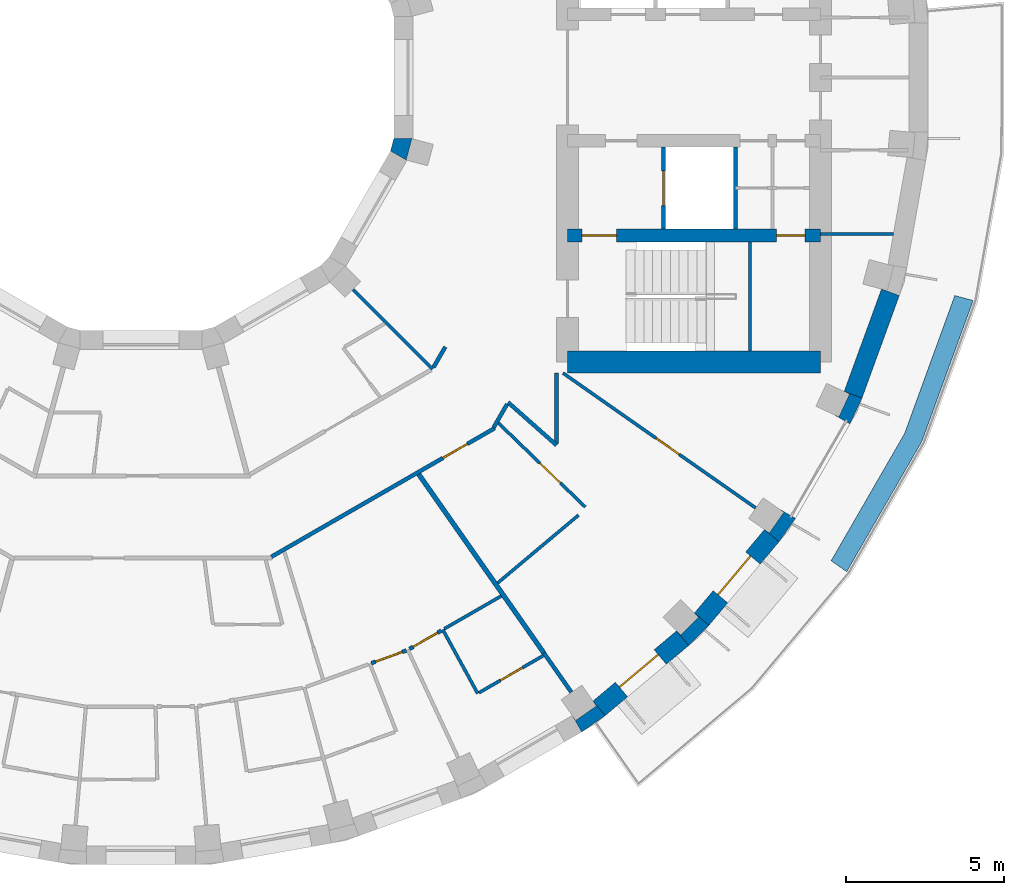
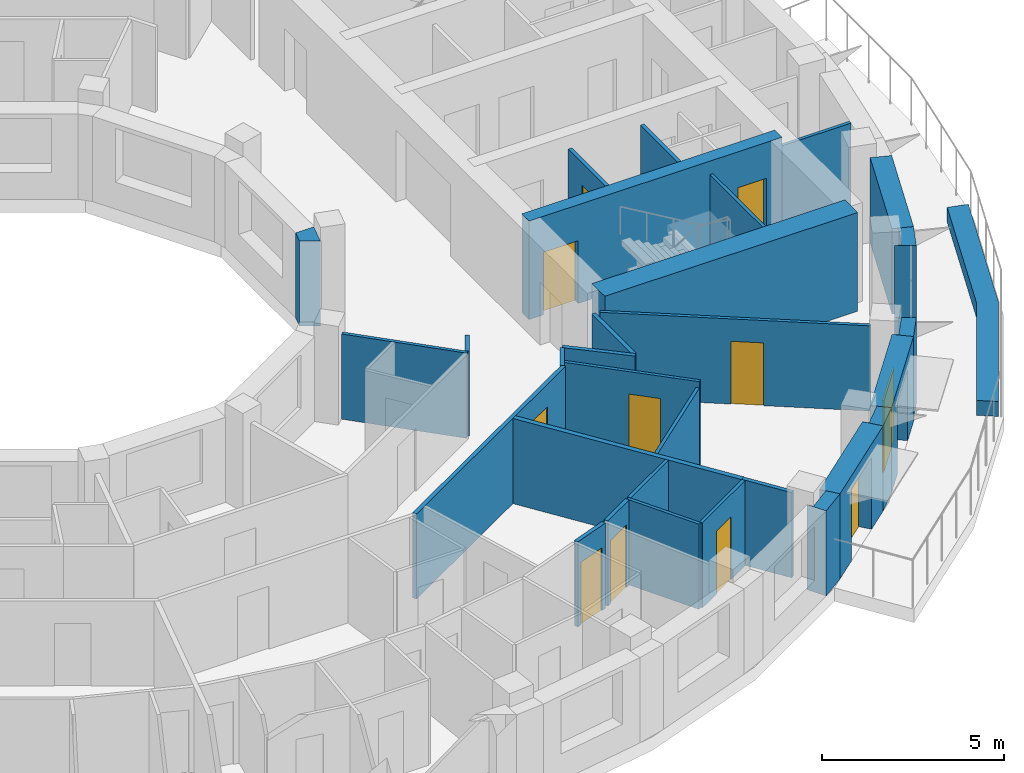
# One storey, part 8 of 14: 31 walls, 11 doors, 11 openings.
"""IFC4 building model written with IfcOpenShell, lengths in metres."""

from ifc_helpers import new_model, si_unit, direction, frame, frame_2d, origin, place, context, subcontext, project, spatial, polyline, rectangle, outline, extrude, material, layer, layer_set, type_object, element, fill, save


model = new_model("IFC4")

# Units and contexts
model_context = context("Model", 3, precision=1e-05, world=origin(), true_north=direction((0.0, 1.0)))
body_context = subcontext(model_context, "Body", "Model", "MODEL_VIEW")
ifc_project = project(units=[si_unit("LENGTHUNIT", "METRE"), si_unit("AREAUNIT", "SQUARE_METRE"), si_unit("VOLUMEUNIT", "CUBIC_METRE"), si_unit("PLANEANGLEUNIT", "RADIAN"), si_unit("MASSUNIT", "GRAM", prefix="KILO")], contexts=[model_context])

# Site, building, storey
site_placement = place(None, origin())
site = spatial("IfcSite", under=ifc_project, at=site_placement, CompositionType="ELEMENT")
building_placement = place(site_placement, origin())
building = spatial("IfcBuilding", under=site, at=building_placement, Name="Saqina Gate Tower", CompositionType="ELEMENT")
storey_placement = place(building_placement, frame((0.0, 0.0, 170.699951171875)))
storey = spatial("IfcBuildingStorey", under=building, at=storey_placement, Name="L48", CompositionType="ELEMENT", Elevation=170.699951171875)

# Walls
ifc_material_1 = material(Name="Brick masonry (buff)", Category="masonry")
wall_type_1 = type_object("IfcWallType", Name="BRICK PIER COPING BUFF", PredefinedType="SOLIDWALL", material=ifc_material_1)
wall_1_placement = place(storey_placement, origin())
element("IfcWall", 1, at=wall_1_placement, inside=storey, type_object=wall_type_1, Name="Pier cap L48 column 31", PredefinedType="SOLIDWALL", context=body_context, shape_type="SweptSolid", body=[
    extrude(outline(polyline([(13.9462890625, -20.705810546875), (14.687255859375, -20.18701171875), (14.301513671875, -19.727294921875), (14.408935546875, -19.880859375), (13.753662109375, -20.339599609375), (13.646240234375, -20.186279296875), (13.9462890625, -20.705810546875)])), origin(), (0.0, 0.0, 1.0), 2.85009765625),
])
wall_2_placement = place(storey_placement, origin())
element("IfcWall", 2, at=wall_2_placement, inside=storey, type_object=wall_type_1, Name="Pier cap L48 column 32", PredefinedType="SOLIDWALL", context=body_context, shape_type="SweptSolid", body=[
    extrude(outline(polyline([(17.969482421875, -17.329833984375), (17.510009765625, -16.944091796875), (17.642333984375, -17.07666015625), (17.07666015625, -17.642333984375), (16.944091796875, -17.510009765625), (17.329833984375, -17.969482421875), (17.969482421875, -17.329833984375)])), origin(), (0.0, 0.0, 1.0), 2.85009765625),
])
wall_3_placement = place(storey_placement, origin())
element("IfcWall", 3, at=wall_3_placement, inside=storey, type_object=wall_type_1, Name="Pier cap L48 column 33", PredefinedType="SOLIDWALL", context=body_context, shape_type="SweptSolid", body=[
    extrude(outline(polyline([(20.18701171875, -14.687255859375), (20.705810546875, -13.9462890625), (20.186279296875, -13.646240234375), (20.339599609375, -13.753662109375), (19.880859375, -14.408935546875), (19.727294921875, -14.301513671875), (20.18701171875, -14.687255859375)])), origin(), (0.0, 0.0, 1.0), 2.85009765625),
])
wall_4_placement = place(storey_placement, origin())
element("IfcWall", 4, at=wall_4_placement, inside=storey, type_object=wall_type_1, Name="Pier cap L48 column 34", PredefinedType="SOLIDWALL", context=body_context, shape_type="SweptSolid", body=[
    extrude(outline(polyline([(22.81298828125, -10.138916015625), (22.249267578125, -9.93359375), (22.4189453125, -10.0126953125), (22.080810546875, -10.73779296875), (21.9111328125, -10.65869140625), (22.4306640625, -10.958740234375), (22.81298828125, -10.138916015625)])), origin(), (0.0, 0.0, 1.0), 2.85009765625),
])
ifc_material_2 = material(Name="Gypsum board on steel studs", Category="steel")
ifc_layer_1 = layer(ifc_material_2, 0.10009765625)
ifc_layer_set_1 = layer_set([ifc_layer_1], Name="CORE PARTITION")
wall_type_2 = type_object("IfcWallType", Name="CORE PARTITION", PredefinedType="PARTITIONING", material=ifc_layer_set_1)
wall_5_placement = place(storey_placement, frame((21.5, -4.949951171875, 0.0), z_axis=(0.0, 0.0, 1.0), x_axis=(1.0, 0.0, 0.0)))
element("IfcWall", 5, at=wall_5_placement, inside=storey, type_object=wall_type_2, Name="L48-CP-E03", PredefinedType="PARTITIONING", context=body_context, shape_type="SweptSolid", body=[
    extrude(rectangle(XDim=2.306884765625, YDim=0.10009765625, at=frame_2d((1.1533203125, 0.0))), origin(), (0.0, 0.0, 1.0), 2.85009765625),
])

# Wall, opening, door
ifc_material_3 = material(Name="Brick masonry (buff)", Category="masonry")
ifc_layer_2 = layer(ifc_material_3, 0.60009765625)
ifc_layer_set_2 = layer_set([ifc_layer_2], Name="FW-BRICK-BUFF")
wall_type_3 = type_object("IfcWallType", Name="FW-BRICK-BUFF", PredefinedType="SOLIDWALL", material=ifc_layer_set_2)
wall_6_placement = place(storey_placement, frame((14.494384765625, -19.95703125, 0.0), z_axis=(0.0, 0.0, 1.0), x_axis=(0.766058884809, 0.642770398358, 0.0)))
wall_6 = element("IfcWall", 6, at=wall_6_placement, inside=storey, type_object=wall_type_3, Name="Facade wall L48 facet 31", PredefinedType="SOLIDWALL", context=body_context, shape_type="SweptSolid", body=[
    extrude(rectangle(XDim=3.449462890625, YDim=0.60009765625, at=frame_2d((1.724609375, 0.0))), origin(), (0.0, 0.0, 1.0), 2.85009765625),
])
opening_1_placement = place(wall_6_placement, frame((0.9248046875, 0.0, 0.0)))
opening_1 = element("IfcOpeningElement", 7, at=opening_1_placement, cuts=wall_6, Name="Opening G14-D80", PredefinedType="OPENING", context=body_context, shape_type="SweptSolid", body=[
    extrude(rectangle(XDim=1.60009765625, YDim=2.39990234375, at=frame_2d((0.800048828125, 1.199951171875))), frame((0.0, 0.31201171875, 0.0), z_axis=(0.0, -1.0, 0.0), x_axis=(1.0, 0.0, 0.0)), (0.0, 0.0, 1.0), 0.6240234375),
])
ifc_material_4 = material(Name="Aluminium glazing", Category="aluminium")
door_type_1 = type_object("IfcDoorType", Name="GD-C", OperationType="DOUBLE_DOOR_SINGLE_SWING", PredefinedType="DOOR", material=ifc_material_4)
door_1_placement = place(opening_1_placement, frame((1.60009765625, 0.0, 0.0), z_axis=(0.0, 0.0, 1.0), x_axis=(-1.0, 0.0, 0.0)))
door_1 = element("IfcDoor", 8, at=door_1_placement, inside=storey, type_object=door_type_1, Name="Terrace door L48 facet 31", OperationType="DOUBLE_DOOR_SINGLE_SWING", OverallHeight=2.39990234375, OverallWidth=1.60009765625, PredefinedType="DOOR", context=body_context, shape_type="SweptSolid", body=[
    extrude(rectangle(XDim=1.60009765625, YDim=2.39990234375, at=frame_2d((0.800048828125, 1.199951171875))), frame((0.0, -0.0751953125, 0.0), z_axis=(0.0, -1.0, 0.0), x_axis=(1.0, 0.0, 0.0)), (0.0, 0.0, 1.0), 0.050048828125),
])
fill(opening_1, door_1)

wall_7_placement = place(storey_placement, frame((17.73974609375, -17.136962890625, 0.0), z_axis=(0.0, 0.0, 1.0), x_axis=(0.642770398358, 0.766058884809, 0.0)))
wall_7 = element("IfcWall", 9, at=wall_7_placement, inside=storey, type_object=wall_type_3, Name="Facade wall L48 facet 32", PredefinedType="SOLIDWALL", context=body_context, shape_type="SweptSolid", body=[
    extrude(rectangle(XDim=3.449462890625, YDim=0.60009765625, at=frame_2d((1.724609375, 0.0))), origin(), (0.0, 0.0, 1.0), 2.85009765625),
])
opening_2_placement = place(wall_7_placement, frame((0.9248046875, 0.0, 0.0)))
opening_2 = element("IfcOpeningElement", 10, at=opening_2_placement, cuts=wall_7, Name="Opening G14-D81", PredefinedType="OPENING", context=body_context, shape_type="SweptSolid", body=[
    extrude(rectangle(XDim=1.60009765625, YDim=2.39990234375, at=frame_2d((0.800048828125, 1.199951171875))), frame((0.0, 0.31201171875, 0.0), z_axis=(0.0, -1.0, 0.0), x_axis=(1.0, 0.0, 0.0)), (0.0, 0.0, 1.0), 0.6240234375),
])
door_2_placement = place(opening_2_placement, frame((1.60009765625, 0.0, 0.0), z_axis=(0.0, 0.0, 1.0), x_axis=(-1.0, 0.0, 0.0)))
door_2 = element("IfcDoor", 11, at=door_2_placement, inside=storey, type_object=door_type_1, Name="Terrace door L48 facet 32", OperationType="DOUBLE_DOOR_SINGLE_SWING", OverallHeight=2.39990234375, OverallWidth=1.60009765625, PredefinedType="DOOR", context=body_context, shape_type="SweptSolid", body=[
    extrude(rectangle(XDim=1.60009765625, YDim=2.39990234375, at=frame_2d((0.800048828125, 1.199951171875))), frame((0.0, -0.0751953125, 0.0), z_axis=(0.0, -1.0, 0.0), x_axis=(1.0, 0.0, 0.0)), (0.0, 0.0, 1.0), 0.050048828125),
])
fill(opening_2, door_2)

# Walls
ifc_material_5 = material(Name="Glazed ceramic tile (dark blue)", Category="ceramic")
ifc_layer_3 = layer(ifc_material_5, 0.60009765625)
ifc_layer_set_3 = layer_set([ifc_layer_3], Name="FW-TILE-CB")
wall_type_4 = type_object("IfcWallType", Name="FW-TILE-CB", PredefinedType="SOLIDWALL", material=ifc_layer_set_3)
wall_8_placement = place(storey_placement, frame((22.531005859375, -10.0361328125, 0.0), z_axis=(0.0, 0.0, 1.0), x_axis=(0.342032843455, 0.93968799822, 0.0)))
element("IfcWall", 12, at=wall_8_placement, inside=storey, type_object=wall_type_4, Name="Facade wall L48 facet 34", PredefinedType="SOLIDWALL", context=body_context, shape_type="SweptSolid", body=[
    extrude(rectangle(XDim=3.44970703125, YDim=0.60009765625, at=frame_2d((1.724853515625, 0.0))), origin(), (0.0, 0.0, 1.0), 2.85009765625),
])
ifc_material_6 = material(Name="Gypsum board on steel studs, 100 mm", Category="steel")
ifc_layer_4 = layer(ifc_material_6, 0.10009765625)
ifc_layer_set_4 = layer_set([ifc_layer_4], Name="PARTITION 100")
wall_type_5 = type_object("IfcWallType", Name="PARTITION 100", PredefinedType="PARTITIONING", material=ifc_layer_set_4)
wall_9_placement = place(storey_placement, frame((9.551025390625, -17.469970703125, 0.0), z_axis=(0.0, 0.0, 1.0), x_axis=(0.479937439817, -0.877302715066, 0.0)))
element("IfcWall", 13, at=wall_9_placement, inside=storey, type_object=wall_type_5, Name="PARTITION PW3-19", PredefinedType="PARTITIONING", context=body_context, shape_type="SweptSolid", body=[
    extrude(rectangle(XDim=2.30029296875, YDim=0.10009765625, at=frame_2d((1.150146484375, 0.0))), origin(), (0.0, 0.0, 1.0), 2.85009765625),
])
wall_10_placement = place(storey_placement, frame((6.7119140625, -6.7119140625, 0.0), z_axis=(0.0, 0.0, 1.0), x_axis=(0.707106781187, -0.707106781187, 0.0)))
element("IfcWall", 14, at=wall_10_placement, inside=storey, type_object=wall_type_5, Name="PARTITION PW3-26", PredefinedType="PARTITIONING", context=body_context, shape_type="SweptSolid", body=[
    extrude(rectangle(XDim=3.552734375, YDim=0.10009765625, at=frame_2d((1.7763671875, 0.0))), origin(), (0.0, 0.0, 1.0), 2.85009765625),
])

# Wall, opening, door
wall_11_placement = place(storey_placement, frame((11.309814453125, -10.931396484375, 0.0), z_axis=(0.0, 0.0, 1.0), x_axis=(0.718976677459, -0.695034198634, 0.0)))
wall_11 = element("IfcWall", 15, at=wall_11_placement, inside=storey, type_object=wall_type_5, Name="PARTITION PW3-27", PredefinedType="PARTITIONING", context=body_context, shape_type="SweptSolid", body=[
    extrude(rectangle(XDim=3.823974609375, YDim=0.10009765625, at=frame_2d((1.912109375, 0.0))), origin(), (0.0, 0.0, 1.0), 2.85009765625),
])
opening_3_placement = place(wall_11_placement, frame((1.83056640625, 0.0, 0.0)))
opening_3 = element("IfcOpeningElement", 16, at=opening_3_placement, cuts=wall_11, Name="Opening G14-D62", PredefinedType="OPENING", context=body_context, shape_type="SweptSolid", body=[
    extrude(rectangle(XDim=0.89990234375, YDim=2.10009765625, at=frame_2d((0.449951171875, 1.050048828125))), frame((0.0, 0.06201171875, 0.0), z_axis=(0.0, -1.0, 0.0), x_axis=(1.0, 0.0, 0.0)), (0.0, 0.0, 1.0), 0.1240234375),
])
ifc_material_7 = material(Name="Timber door leaf, 900 mm", Category="wood")
door_type_2 = type_object("IfcDoorType", Name="DOOR 900 TIMBER", OperationType="SINGLE_SWING_LEFT", PredefinedType="DOOR", material=ifc_material_7)
door_3_placement = place(opening_3_placement, origin())
door_3 = element("IfcDoor", 17, at=door_3_placement, inside=storey, type_object=door_type_2, Name="DOOR G14-D62", OperationType="SINGLE_SWING_LEFT", OverallHeight=2.10009765625, OverallWidth=0.89990234375, PredefinedType="DOOR", context=body_context, shape_type="SweptSolid", body=[
    extrude(rectangle(XDim=0.89990234375, YDim=2.10009765625, at=frame_2d((0.449951171875, 1.050048828125))), frame((0.0, 0.02490234375, 0.0), z_axis=(0.0, -1.0, 0.0), x_axis=(1.0, 0.0, 0.0)), (0.0, 0.0, 1.0), 0.050048828125),
])
fill(opening_3, door_3)

wall_12_placement = place(storey_placement, frame((13.35302734375, -9.35009765625, 0.0), z_axis=(0.0, 0.0, 1.0), x_axis=(0.81917024189, -0.573550446606, 0.0)))
wall_12 = element("IfcWall", 18, at=wall_12_placement, inside=storey, type_object=wall_type_5, Name="PARTITION PW3-33", PredefinedType="PARTITIONING", context=body_context, shape_type="SweptSolid", body=[
    extrude(rectangle(XDim=7.43896484375, YDim=0.10009765625, at=frame_2d((3.719482421875, 0.0))), origin(), (0.0, 0.0, 1.0), 2.85009765625),
])
opening_4_placement = place(wall_12_placement, frame((3.59814453125, 0.0, 0.0)))
opening_4 = element("IfcOpeningElement", 19, at=opening_4_placement, cuts=wall_12, Name="Opening G14-D63", PredefinedType="OPENING", context=body_context, shape_type="SweptSolid", body=[
    extrude(rectangle(XDim=0.89990234375, YDim=2.10009765625, at=frame_2d((0.449951171875, 1.050048828125))), frame((0.0, 0.06201171875, 0.0), z_axis=(0.0, -1.0, 0.0), x_axis=(1.0, 0.0, 0.0)), (0.0, 0.0, 1.0), 0.1240234375),
])
door_4_placement = place(opening_4_placement, frame((0.89990234375, 0.0, 0.0), z_axis=(0.0, 0.0, 1.0), x_axis=(-1.0, 0.0, 0.0)))
door_4 = element("IfcDoor", 20, at=door_4_placement, inside=storey, type_object=door_type_2, Name="DOOR G14-D63", OperationType="SINGLE_SWING_LEFT", OverallHeight=2.10009765625, OverallWidth=0.89990234375, PredefinedType="DOOR", context=body_context, shape_type="SweptSolid", body=[
    extrude(rectangle(XDim=0.89990234375, YDim=2.10009765625, at=frame_2d((0.449951171875, 1.050048828125))), frame((0.0, 0.02490234375, 0.0), z_axis=(0.0, -1.0, 0.0), x_axis=(1.0, 0.0, 0.0)), (0.0, 0.0, 1.0), 0.050048828125),
])
fill(opening_4, door_4)

# Wall
wall_13_placement = place(storey_placement, frame((9.59375, -17.444091796875, 0.0), z_axis=(0.0, 0.0, 1.0), x_axis=(0.866570174263, 0.499055240507, 0.0)))
element("IfcWall", 21, at=wall_13_placement, inside=storey, type_object=wall_type_5, Name="PARTITION PW3-68", PredefinedType="PARTITIONING", context=body_context, shape_type="SweptSolid", body=[
    extrude(rectangle(XDim=2.08056640625, YDim=0.10009765625, at=frame_2d((1.040283203125, 0.0))), origin(), (0.0, 0.0, 1.0), 2.85009765625),
])

# Wall, opening, door
wall_14_placement = place(storey_placement, frame((10.6982421875, -19.462890625, 0.0), z_axis=(0.0, 0.0, 1.0), x_axis=(0.866206369469, 0.499686427163, 0.0)))
wall_14 = element("IfcWall", 22, at=wall_14_placement, inside=storey, type_object=wall_type_5, Name="PARTITION PW3-69", PredefinedType="PARTITIONING", context=body_context, shape_type="SweptSolid", body=[
    extrude(rectangle(XDim=2.3466796875, YDim=0.10009765625, at=frame_2d((1.17333984375, 0.0))), origin(), (0.0, 0.0, 1.0), 2.85009765625),
])
opening_5_placement = place(wall_14_placement, frame((0.779541015625, 0.0, 0.0)))
opening_5 = element("IfcOpeningElement", 23, at=opening_5_placement, cuts=wall_14, Name="Opening G14-D59", PredefinedType="OPENING", context=body_context, shape_type="SweptSolid", body=[
    extrude(rectangle(XDim=0.800048828125, YDim=2.10009765625, at=frame_2d((0.39990234375, 1.050048828125))), frame((0.0, 0.06201171875, 0.0), z_axis=(0.0, -1.0, 0.0), x_axis=(1.0, 0.0, 0.0)), (0.0, 0.0, 1.0), 0.1240234375),
])
ifc_material_8 = material(Name="Timber door leaf, 800 mm", Category="wood")
door_type_3 = type_object("IfcDoorType", Name="DOOR 800 TIMBER", OperationType="SINGLE_SWING_LEFT", PredefinedType="DOOR", material=ifc_material_8)
door_5_placement = place(opening_5_placement, frame((0.800048828125, 0.0, 0.0), z_axis=(0.0, 0.0, 1.0), x_axis=(-1.0, 0.0, 0.0)))
door_5 = element("IfcDoor", 24, at=door_5_placement, inside=storey, type_object=door_type_3, Name="DOOR G14-D59", OperationType="SINGLE_SWING_LEFT", OverallHeight=2.10009765625, OverallWidth=0.800048828125, PredefinedType="DOOR", context=body_context, shape_type="SweptSolid", body=[
    extrude(rectangle(XDim=0.800048828125, YDim=2.10009765625, at=frame_2d((0.39990234375, 1.050048828125))), frame((0.0, 0.02490234375, 0.0), z_axis=(0.0, -1.0, 0.0), x_axis=(1.0, 0.0, 0.0)), (0.0, 0.0, 1.0), 0.050048828125),
])
fill(opening_5, door_5)

# Walls
wall_15_placement = place(storey_placement, frame((11.287841796875, -15.990234375, 0.0), z_axis=(0.0, 0.0, 1.0), x_axis=(0.766106730911, 0.642713370681, 0.0)))
element("IfcWall", 25, at=wall_15_placement, inside=storey, type_object=wall_type_5, Name="PARTITION PW3-76", PredefinedType="PARTITIONING", context=body_context, shape_type="SweptSolid", body=[
    extrude(rectangle(XDim=3.337890625, YDim=0.10009765625, at=frame_2d((1.6689453125, 0.0))), origin(), (0.0, 0.0, 1.0), 2.85009765625),
])
ifc_material_9 = material(Name="Gypsum board on steel studs, 125 mm, fire rated", Category="steel")
ifc_layer_5 = layer(ifc_material_9, 0.125)
ifc_layer_set_5 = layer_set([ifc_layer_5], Name="PARTITION EI 30 125")
wall_type_6 = type_object("IfcWallType", Name="PARTITION EI 30 125", PredefinedType="PARTITIONING", material=ifc_layer_set_5)
wall_16_placement = place(storey_placement, frame((12.749267578125, -18.207763671875, 0.0), z_axis=(0.0, 0.0, 1.0), x_axis=(0.57406892907, -0.818806976446, 0.0)))
element("IfcWall", 26, at=wall_16_placement, inside=storey, type_object=wall_type_6, Name="PARTITION PW1-07", PredefinedType="PARTITIONING", context=body_context, shape_type="SweptSolid", body=[
    extrude(rectangle(XDim=1.51220703125, YDim=0.125, at=frame_2d((0.756103515625, 0.0))), origin(), (0.0, 0.0, 1.0), 2.85009765625),
])
wall_17_placement = place(storey_placement, frame((11.616943359375, -10.278076171875, 0.0), z_axis=(0.0, 0.0, 1.0), x_axis=(0.74902616167, -0.662540420754, 0.0)))
element("IfcWall", 27, at=wall_17_placement, inside=storey, type_object=wall_type_6, Name="PARTITION PW1-12", PredefinedType="PARTITIONING", context=body_context, shape_type="SweptSolid", body=[
    extrude(rectangle(XDim=2.046630859375, YDim=0.125, at=frame_2d((1.0234375, 0.0))), origin(), (0.0, 0.0, 1.0), 2.85009765625),
])

# Wall, opening, door
wall_18_placement = place(storey_placement, frame((7.2900390625, -18.529296875, 0.0), z_axis=(0.0, 0.0, 1.0), x_axis=(0.939642058785, 0.342159029346, 0.0)))
wall_18 = element("IfcWall", 28, at=wall_18_placement, inside=storey, type_object=wall_type_6, Name="PARTITION PW1-34", PredefinedType="PARTITIONING", context=body_context, shape_type="SweptSolid", body=[
    extrude(rectangle(XDim=1.177978515625, YDim=0.125, at=frame_2d((0.5888671875, 0.0))), origin(), (0.0, 0.0, 1.0), 2.85009765625),
])
opening_6_placement = place(wall_18_placement, frame((0.138916015625, 0.0, 0.0)))
opening_6 = element("IfcOpeningElement", 29, at=opening_6_placement, cuts=wall_18, Name="Opening G14-D56", PredefinedType="OPENING", context=body_context, shape_type="SweptSolid", body=[
    extrude(rectangle(XDim=0.89990234375, YDim=2.10009765625, at=frame_2d((0.449951171875, 1.050048828125))), frame((0.0, 0.074462890625, 0.0), z_axis=(0.0, -1.0, 0.0), x_axis=(1.0, 0.0, 0.0)), (0.0, 0.0, 1.0), 0.14892578125),
])
ifc_material_10 = material(Name="Fire door leaf EI 30, 900 mm")
door_type_4 = type_object("IfcDoorType", Name="DOOR 900 EI 30", OperationType="SINGLE_SWING_LEFT", PredefinedType="DOOR", material=ifc_material_10)
door_6_placement = place(opening_6_placement, origin())
door_6 = element("IfcDoor", 30, at=door_6_placement, inside=storey, type_object=door_type_4, Name="DOOR G14-D56", OperationType="SINGLE_SWING_RIGHT", OverallHeight=2.10009765625, OverallWidth=0.89990234375, PredefinedType="DOOR", context=body_context, shape_type="SweptSolid", body=[
    extrude(rectangle(XDim=0.89990234375, YDim=2.10009765625, at=frame_2d((0.449951171875, 1.050048828125))), frame((0.0, 0.02490234375, 0.0), z_axis=(0.0, -1.0, 0.0), x_axis=(1.0, 0.0, 0.0)), (0.0, 0.0, 1.0), 0.050048828125),
])
fill(opening_6, door_6)

wall_19_placement = place(storey_placement, frame((4.124755859375, -15.16455078125, 0.0), z_axis=(0.0, 0.0, 1.0), x_axis=(0.86652321779, 0.49913676786, 0.0)))
wall_19 = element("IfcWall", 31, at=wall_19_placement, inside=storey, type_object=wall_type_6, Name="PARTITION PW1-36", PredefinedType="PARTITIONING", context=body_context, shape_type="SweptSolid", body=[
    extrude(rectangle(XDim=8.1572265625, YDim=0.125, at=frame_2d((4.07861328125, 0.0))), origin(), (0.0, 0.0, 1.0), 2.85009765625),
])
opening_7_placement = place(wall_19_placement, frame((6.261474609375, 0.0, 0.0)))
opening_7 = element("IfcOpeningElement", 32, at=opening_7_placement, cuts=wall_19, Name="Opening G14-D61", PredefinedType="OPENING", context=body_context, shape_type="SweptSolid", body=[
    extrude(rectangle(XDim=0.89990234375, YDim=2.10009765625, at=frame_2d((0.449951171875, 1.050048828125))), frame((0.0, 0.074462890625, 0.0), z_axis=(0.0, -1.0, 0.0), x_axis=(1.0, 0.0, 0.0)), (0.0, 0.0, 1.0), 0.14892578125),
])
door_7_placement = place(opening_7_placement, frame((0.89990234375, 0.0, 0.0), z_axis=(0.0, 0.0, 1.0), x_axis=(-1.0, 0.0, 0.0)))
door_7 = element("IfcDoor", 33, at=door_7_placement, inside=storey, type_object=door_type_4, Name="DOOR G14-D61", OperationType="SINGLE_SWING_LEFT", OverallHeight=2.10009765625, OverallWidth=0.89990234375, PredefinedType="DOOR", context=body_context, shape_type="SweptSolid", body=[
    extrude(rectangle(XDim=0.89990234375, YDim=2.10009765625, at=frame_2d((0.449951171875, 1.050048828125))), frame((0.0, 0.02490234375, 0.0), z_axis=(0.0, -1.0, 0.0), x_axis=(1.0, 0.0, 0.0)), (0.0, 0.0, 1.0), 0.050048828125),
])
fill(opening_7, door_7)

wall_20_placement = place(storey_placement, frame((8.498046875, -18.07763671875, 0.0), z_axis=(0.0, 0.0, 1.0), x_axis=(0.866199532168, 0.499698279437, 0.0)))
wall_20 = element("IfcWall", 34, at=wall_20_placement, inside=storey, type_object=wall_type_6, Name="PARTITION PW1-37", PredefinedType="PARTITIONING", context=body_context, shape_type="SweptSolid", body=[
    extrude(rectangle(XDim=1.165771484375, YDim=0.125, at=frame_2d((0.5830078125, 0.0))), origin(), (0.0, 0.0, 1.0), 2.85009765625),
])
opening_8_placement = place(wall_20_placement, frame((0.126708984375, 0.0, 0.0)))
opening_8 = element("IfcOpeningElement", 35, at=opening_8_placement, cuts=wall_20, Name="Opening G14-D57", PredefinedType="OPENING", context=body_context, shape_type="SweptSolid", body=[
    extrude(rectangle(XDim=0.89990234375, YDim=2.10009765625, at=frame_2d((0.449951171875, 1.050048828125))), frame((0.0, 0.074462890625, 0.0), z_axis=(0.0, -1.0, 0.0), x_axis=(1.0, 0.0, 0.0)), (0.0, 0.0, 1.0), 0.14892578125),
])
door_8_placement = place(opening_8_placement, origin())
door_8 = element("IfcDoor", 36, at=door_8_placement, inside=storey, type_object=door_type_4, Name="DOOR G14-D57", OperationType="SINGLE_SWING_LEFT", OverallHeight=2.10009765625, OverallWidth=0.89990234375, PredefinedType="DOOR", context=body_context, shape_type="SweptSolid", body=[
    extrude(rectangle(XDim=0.89990234375, YDim=2.10009765625, at=frame_2d((0.449951171875, 1.050048828125))), frame((0.0, 0.02490234375, 0.0), z_axis=(0.0, -1.0, 0.0), x_axis=(1.0, 0.0, 0.0)), (0.0, 0.0, 1.0), 0.050048828125),
])
fill(opening_8, door_8)

# Walls
wall_21_placement = place(storey_placement, frame((11.158203125, -11.07275390625, 0.0), z_axis=(0.0, 0.0, 1.0), x_axis=(0.499854250852, 0.866109535743, 0.0)))
element("IfcWall", 37, at=wall_21_placement, inside=storey, type_object=wall_type_6, Name="PARTITION PW1-45", PredefinedType="PARTITIONING", context=body_context, shape_type="SweptSolid", body=[
    extrude(rectangle(XDim=0.855224609375, YDim=0.125, at=frame_2d((0.427734375, 0.0))), origin(), (0.0, 0.0, 1.0), 2.85009765625),
])
wall_22_placement = place(storey_placement, frame((9.255126953125, -9.169921875, 0.0), z_axis=(0.0, 0.0, 1.0), x_axis=(0.499534624366, 0.866293921865, 0.0)))
element("IfcWall", 38, at=wall_22_placement, inside=storey, type_object=wall_type_6, Name="PARTITION PW1-46", PredefinedType="PARTITIONING", context=body_context, shape_type="SweptSolid", body=[
    extrude(rectangle(XDim=0.750244140625, YDim=0.125, at=frame_2d((0.375, 0.0))), origin(), (0.0, 0.0, 1.0), 2.85009765625),
])
wall_23_placement = place(storey_placement, frame((13.14990234375, -11.571533203125, 0.0), z_axis=(0.0, 0.0, 1.0), x_axis=(0.0, 1.0, 0.0)))
element("IfcWall", 39, at=wall_23_placement, inside=storey, type_object=wall_type_6, Name="PARTITION PW1-49", PredefinedType="PARTITIONING", context=body_context, shape_type="SweptSolid", body=[
    extrude(rectangle(XDim=2.221435546875, YDim=0.125, at=frame_2d((1.11083984375, 0.0))), origin(), (0.0, 0.0, 1.0), 2.85009765625),
])
ifc_material_11 = material(Name="Gypsum board on steel studs, 150 mm, fire rated", Category="steel")
ifc_layer_6 = layer(ifc_material_11, 0.14990234375)
ifc_layer_set_6 = layer_set([ifc_layer_6], Name="PARTITION EI 60 150")
wall_type_7 = type_object("IfcWallType", Name="PARTITION EI 60 150", PredefinedType="PARTITIONING", material=ifc_layer_set_6)
wall_24_placement = place(storey_placement, frame((8.787841796875, -12.55029296875, 0.0), z_axis=(0.0, 0.0, 1.0), x_axis=(0.573514537479, -0.819195382861, 0.0)))
element("IfcWall", 40, at=wall_24_placement, inside=storey, type_object=wall_type_7, Name="PARTITION PW2-04", PredefinedType="PARTITIONING", context=body_context, shape_type="SweptSolid", body=[
    extrude(rectangle(XDim=6.906494140625, YDim=0.14990234375, at=frame_2d((3.453125, 0.0))), origin(), (0.0, 0.0, 1.0), 2.85009765625),
])
ifc_material_12 = material(Name="Brick masonry (red)", Category="masonry")
ifc_layer_7 = layer(ifc_material_12, 0.60009765625)
ifc_layer_set_7 = layer_set([ifc_layer_7], Name="PL-PLANTER")
wall_type_8 = type_object("IfcWallType", Name="PL-PLANTER", PredefinedType="PARAPET", material=ifc_layer_set_7)
wall_25_placement = place(storey_placement, origin())
element("IfcWall", 41, at=wall_25_placement, inside=storey, type_object=wall_type_8, Name="Planter L48", PredefinedType="PARAPET", context=body_context, shape_type="SweptSolid", body=[
    extrude(outline(polyline([(22.328857421875, -15.635009765625), (24.70458984375, -11.52001953125), (26.329833984375, -7.054931640625), (25.748046875, -6.899169921875), (24.15869140625, -11.265380859375), (21.835693359375, -15.289306640625), (22.328857421875, -15.635009765625)])), origin(), (0.0, 0.0, 1.0), 0.5),
])

# Wall, opening, door
ifc_material_13 = material(Name="Autoclaved aerated concrete block", Category="concrete")
ifc_layer_8 = layer(ifc_material_13, 0.1201171875)
ifc_layer_set_8 = layer_set([ifc_layer_8], Name="SHAFT PARTITION")
wall_type_9 = type_object("IfcWallType", Name="SHAFT PARTITION", PredefinedType="PARTITIONING", material=ifc_layer_set_8)
wall_26_placement = place(storey_placement, frame((16.530029296875, -4.800048828125, 0.0), z_axis=(0.0, 0.0, 1.0), x_axis=(0.0, 1.0, 0.0)))
wall_26 = element("IfcWall", 42, at=wall_26_placement, inside=storey, type_object=wall_type_9, Name="L48-CP-E08", PredefinedType="PARTITIONING", context=body_context, shape_type="SweptSolid", body=[
    extrude(rectangle(XDim=2.60009765625, YDim=0.1201171875, at=frame_2d((1.300048828125, 0.0))), origin(), (0.0, 0.0, 1.0), 2.85009765625),
])
opening_9_placement = place(wall_26_placement, frame((0.75, 0.0, 0.0)))
opening_9 = element("IfcOpeningElement", 43, at=opening_9_placement, cuts=wall_26, Name="Opening G14-LD3", PredefinedType="OPENING", context=body_context, shape_type="SweptSolid", body=[
    extrude(rectangle(XDim=1.10009765625, YDim=2.10009765625, at=frame_2d((0.550048828125, 1.050048828125))), frame((0.0, 0.072021484375, 0.0), z_axis=(0.0, -1.0, 0.0), x_axis=(1.0, 0.0, 0.0)), (0.0, 0.0, 1.0), 0.14404296875),
])
ifc_material_14 = material(Name="Stainless steel", Category="steel")
door_type_5 = type_object("IfcDoorType", Name="LANDING DOOR", OperationType="DOUBLE_DOOR_SLIDING", PredefinedType="DOOR", material=ifc_material_14)
door_9_placement = place(opening_9_placement, origin())
door_9 = element("IfcDoor", 44, at=door_9_placement, inside=storey, type_object=door_type_5, Name="LANDING DOOR FF1", OperationType="DOUBLE_DOOR_SLIDING", OverallHeight=2.10009765625, OverallWidth=1.10009765625, PredefinedType="DOOR", context=body_context, shape_type="SweptSolid", body=[
    extrude(rectangle(XDim=1.10009765625, YDim=2.10009765625, at=frame_2d((0.550048828125, 1.050048828125))), frame((0.0, 0.02490234375, 0.0), z_axis=(0.0, -1.0, 0.0), x_axis=(1.0, 0.0, 0.0)), (0.0, 0.0, 1.0), 0.050048828125),
])
fill(opening_9, door_9)

# Walls
wall_27_placement = place(storey_placement, frame((18.81005859375, -4.800048828125, 0.0), z_axis=(0.0, 0.0, 1.0), x_axis=(0.0, 1.0, 0.0)))
element("IfcWall", 45, at=wall_27_placement, inside=storey, type_object=wall_type_9, Name="L48-CP-E09", PredefinedType="PARTITIONING", context=body_context, shape_type="SweptSolid", body=[
    extrude(rectangle(XDim=2.60009765625, YDim=0.1201171875, at=frame_2d((1.300048828125, 0.0))), origin(), (0.0, 0.0, 1.0), 2.85009765625),
])
ifc_material_15 = material(Name="Autoclaved aerated concrete block", Category="concrete")
ifc_layer_9 = layer(ifc_material_15, 0.10009765625)
ifc_layer_set_9 = layer_set([ifc_layer_9], Name="STAIR ENCLOSURE WALL")
wall_type_10 = type_object("IfcWallType", Name="STAIR ENCLOSURE WALL", PredefinedType="PARTITIONING", material=ifc_layer_set_9)
wall_28_placement = place(storey_placement, frame((19.27001953125, -8.64990234375, 0.0), z_axis=(0.0, 0.0, 1.0), x_axis=(0.0, 1.0, 0.0)))
element("IfcWall", 46, at=wall_28_placement, inside=storey, type_object=wall_type_10, Name="L48-CP-E15", PredefinedType="PARTITIONING", context=body_context, shape_type="SweptSolid", body=[
    extrude(rectangle(XDim=3.449951171875, YDim=0.10009765625, at=frame_2d((1.72509765625, 0.0))), origin(), (0.0, 0.0, 1.0), 2.85009765625),
])

# Wall, openings, doors
ifc_material_16 = material(Name="Concrete C60/75", Category="concrete")
ifc_layer_10 = layer(ifc_material_16, 0.39990234375)
ifc_layer_set_10 = layer_set([ifc_layer_10], Name="Concrete C60/75")
wall_type_11 = type_object("IfcWallType", Name="STR-CORE WALL-C-I", PredefinedType="SHEAR", material=ifc_layer_set_10)
wall_29_placement = place(storey_placement, frame((13.5, -5.0, 0.0), z_axis=(0.0, 0.0, 1.0), x_axis=(1.0, 0.0, 0.0)))
wall_29 = element("IfcWall", 47, at=wall_29_placement, inside=storey, type_object=wall_type_11, Name="CORE WALL L48 E-X2", PredefinedType="SHEAR", context=body_context, shape_type="SweptSolid", body=[
    extrude(rectangle(XDim=8.0, YDim=0.39990234375, at=frame_2d((4.0, 0.0))), origin(), (0.0, 0.0, 1.0), 3.300048828125),
])
opening_10_placement = place(wall_29_placement, frame((6.614990234375, 0.0, 0.0)))
opening_10 = element("IfcOpeningElement", 48, at=opening_10_placement, cuts=wall_29, Name="Opening G14-D102", PredefinedType="OPENING", context=body_context, shape_type="SweptSolid", body=[
    extrude(rectangle(XDim=0.89990234375, YDim=2.10009765625, at=frame_2d((0.449951171875, 1.050048828125))), frame((0.0, 0.2119140625, 0.0), z_axis=(0.0, -1.0, 0.0), x_axis=(1.0, 0.0, 0.0)), (0.0, 0.0, 1.0), 0.423828125),
])
opening_11_placement = place(wall_29_placement, frame((0.449951171875, 0.0, 0.0)))
opening_11 = element("IfcOpeningElement", 49, at=opening_11_placement, cuts=wall_29, Name="Opening G14-D103", PredefinedType="OPENING", context=body_context, shape_type="SweptSolid", body=[
    extrude(rectangle(XDim=1.10009765625, YDim=2.10009765625, at=frame_2d((0.550048828125, 1.050048828125))), frame((0.0, 0.2119140625, 0.0), z_axis=(0.0, -1.0, 0.0), x_axis=(1.0, 0.0, 0.0)), (0.0, 0.0, 1.0), 0.423828125),
])
ifc_material_17 = material(Name="Steel", Category="steel")
door_type_6 = type_object("IfcDoorType", Name="FIRE LOBBY DOOR EI 60 WIDE", OperationType="SINGLE_SWING_LEFT", PredefinedType="DOOR", material=ifc_material_17)
door_10_placement = place(opening_11_placement, frame((1.10009765625, 0.0, 0.0), z_axis=(0.0, 0.0, 1.0), x_axis=(-1.0, 0.0, 0.0)))
door_10 = element("IfcDoor", 50, at=door_10_placement, inside=storey, type_object=door_type_6, Name="L48-CD-E14", OperationType="SINGLE_SWING_RIGHT", OverallHeight=2.10009765625, OverallWidth=1.10009765625, PredefinedType="DOOR", context=body_context, shape_type="SweptSolid", body=[
    extrude(rectangle(XDim=1.10009765625, YDim=2.10009765625, at=frame_2d((0.550048828125, 1.050048828125))), frame((0.0, 0.02490234375, 0.0), z_axis=(0.0, -1.0, 0.0), x_axis=(1.0, 0.0, 0.0)), (0.0, 0.0, 1.0), 0.050048828125),
])
fill(opening_11, door_10)
ifc_material_18 = material(Name="Steel-framed fire door leaf, EI 60", Category="steel")
door_type_7 = type_object("IfcDoorType", Name="SERVICE ROOM DOOR 900", OperationType="SINGLE_SWING_LEFT", PredefinedType="DOOR", material=ifc_material_18)
door_11_placement = place(opening_10_placement, frame((0.89990234375, 0.0, 0.0), z_axis=(0.0, 0.0, 1.0), x_axis=(-1.0, 0.0, 0.0)))
door_11 = element("IfcDoor", 51, at=door_11_placement, inside=storey, type_object=door_type_7, Name="L48-CD-E13", OperationType="SINGLE_SWING_LEFT", OverallHeight=2.10009765625, OverallWidth=0.89990234375, PredefinedType="DOOR", context=body_context, shape_type="SweptSolid", body=[
    extrude(rectangle(XDim=0.89990234375, YDim=2.10009765625, at=frame_2d((0.449951171875, 1.050048828125))), frame((0.0, 0.02490234375, 0.0), z_axis=(0.0, -1.0, 0.0), x_axis=(1.0, 0.0, 0.0)), (0.0, 0.0, 1.0), 0.050048828125),
])
fill(opening_10, door_11)

# Walls
ifc_material_19 = material(Name="Concrete C60/75", Category="concrete")
ifc_layer_11 = layer(ifc_material_19, 0.699951171875)
ifc_layer_set_11 = layer_set([ifc_layer_11], Name="Concrete C60/75")
wall_type_12 = type_object("IfcWallType", Name="STR-CORE WALL-C-O", PredefinedType="SHEAR", material=ifc_layer_set_11)
wall_30_placement = place(storey_placement, frame((13.5, -9.0, 0.0), z_axis=(0.0, 0.0, 1.0), x_axis=(1.0, 0.0, 0.0)))
element("IfcWall", 52, at=wall_30_placement, inside=storey, type_object=wall_type_12, Name="CORE WALL L48 E-SE", PredefinedType="SHEAR", context=body_context, shape_type="SweptSolid", body=[
    extrude(rectangle(XDim=8.0, YDim=0.699951171875, at=frame_2d((4.0, 0.0))), origin(), (0.0, 0.0, 1.0), 3.300048828125),
])
ifc_material_20 = material(Name="Glazed ceramic tile", Category="ceramic")
wall_type_13 = type_object("IfcWallType", Name="TILE PIER COPING", PredefinedType="SOLIDWALL", material=ifc_material_20)
wall_31_placement = place(storey_placement, origin())
element("IfcWall", 53, at=wall_31_placement, inside=storey, type_object=wall_type_13, Name="Well pier cap L48 column 12", PredefinedType="SOLIDWALL", context=body_context, shape_type="SweptSolid", body=[
    extrude(outline(polyline([(8.573486328125, -1.934814453125), (8.0, -1.934814453125), (7.895751953125, -2.32421875), (8.392333984375, -2.611083984375), (8.573486328125, -1.934814453125)])), origin(), (0.0, 0.0, 1.0), 2.85009765625),
])

save(model, "model.ifc")
